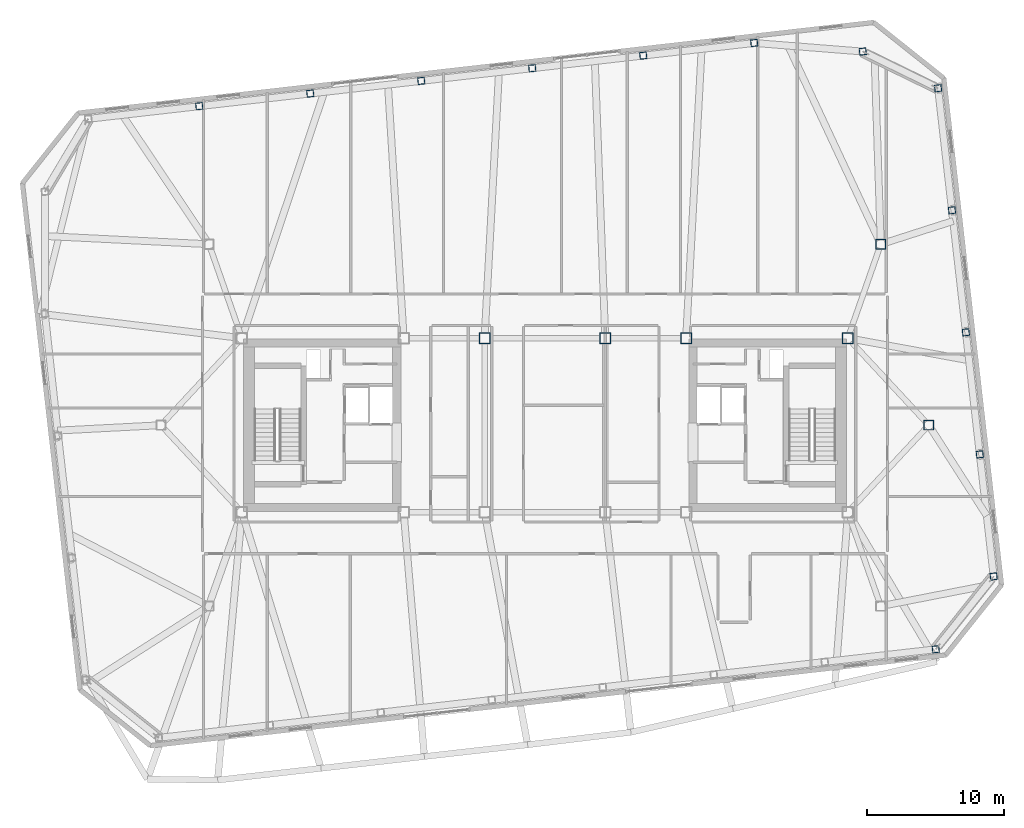
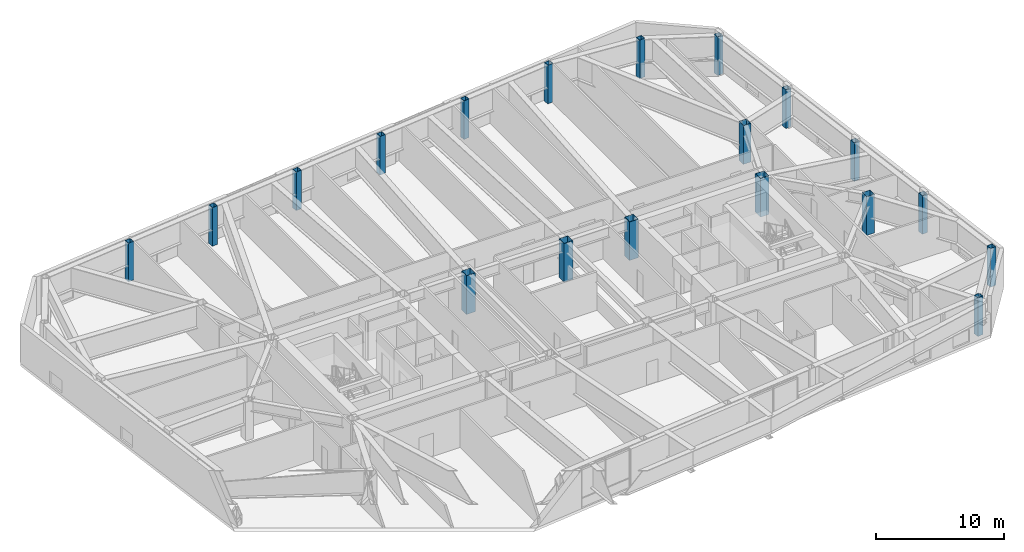
# One storey, part 2 of 18: 19 columns.
"""IFC4 building model written with IfcOpenShell, lengths in metres."""

from ifc_helpers import new_model, si_unit, direction, frame, origin, origin_2d, place, context, subcontext, project, spatial, hollow_rectangle, extrude, material, material_profile, profile_set, type_object, element, save


model = new_model("IFC4")

# Units and contexts
model_context = context("Model", 3, precision=1e-05, world=origin(), true_north=direction((0.0, 1.0)))
body_context = subcontext(model_context, "Body", "Model", "MODEL_VIEW")
ifc_project = project(units=[si_unit("LENGTHUNIT", "METRE"), si_unit("AREAUNIT", "SQUARE_METRE"), si_unit("VOLUMEUNIT", "CUBIC_METRE"), si_unit("PLANEANGLEUNIT", "RADIAN"), si_unit("MASSUNIT", "GRAM", prefix="KILO")], contexts=[model_context])

# Site, building, storey
site_placement = place(None, origin())
site = spatial("IfcSite", under=ifc_project, at=site_placement, CompositionType="ELEMENT")
building_placement = place(site_placement, origin())
building = spatial("IfcBuilding", under=site, at=building_placement, Name="Tavrogorsk Clinical Tower", CompositionType="ELEMENT")
storey_placement = place(building_placement, frame((0.0, 0.0, 267.0)))
storey = spatial("IfcBuildingStorey", under=building, at=storey_placement, Name="L62", CompositionType="ELEMENT", Elevation=267.0)

# Columns
ifc_material_1 = material(Name="Structural steel S440", Category="steel")
ifc_material_profile_1 = material_profile(ifc_material_1, hollow_rectangle(XDim=0.699951171875, YDim=0.699951171875, WallThickness=0.031982421875, at=origin_2d()), Name="BOX-700x700x32")
ifc_profile_set_1 = profile_set([ifc_material_profile_1], Name="Structural steel S440")
column_type_1 = type_object("IfcColumnType", Name="MegaCol_BOX700", PredefinedType="COLUMN", material=ifc_profile_set_1)
for number, where, z_axis, x_axis, name in (
    (1, (24.5, 13.199951171875, 0.0), (0.0, 0.0, 1.0), (1.0, 0.0, 0.0), "L62 Spine Pilotis Column MC-P4"),
    (2, (28.0, 0.0, 0.0), (0.0, 0.0, 1.0), (1.0, 0.0, 0.0), "L62 Spine Pilotis Column MC-P6"),
):
    element("IfcColumn", number, at=place(storey_placement, frame(where, z_axis=z_axis, x_axis=x_axis)), inside=storey, type_object=column_type_1, Name=name, PredefinedType="COLUMN", context=body_context, shape_type="SweptSolid", body=[
        extrude(hollow_rectangle(XDim=0.699951171875, YDim=0.699951171875, WallThickness=0.031982421875, at=origin_2d()), origin(), (0.0, 0.0, 1.0), 3.679931640625),
    ])
ifc_material_2 = material(Name="Structural steel S440", Category="steel")
ifc_material_profile_2 = material_profile(ifc_material_2, hollow_rectangle(XDim=0.800048828125, YDim=0.800048828125, WallThickness=0.035888671875, at=origin_2d()), Name="BOX-800x800x36")
ifc_profile_set_2 = profile_set([ifc_material_profile_2], Name="Structural steel S440")
column_type_2 = type_object("IfcColumnType", Name="MegaCol_BOX800", PredefinedType="COLUMN", material=ifc_profile_set_2)
for number, where, z_axis, x_axis, name in (
    (3, (10.300048828125, 6.35009765625, 0.0), (0.0, 0.0, 1.0), (1.0, 0.0, 0.0), "L62 Mega Column MC-E2"),
    (4, (22.10009765625, 6.35009765625, 0.0), (0.0, 0.0, 1.0), (1.0, 0.0, 0.0), "L62 Mega Column MC-E4"),
    (5, (-4.39990234375, 6.35009765625, 0.0), (0.0, 0.0, 1.0), (1.0, 0.0, 0.0), "L62 Mega Column MC-C3"),
    (6, (4.39990234375, 6.35009765625, 0.0), (0.0, 0.0, 1.0), (1.0, 0.0, 0.0), "L62 Mega Column MC-C4"),
):
    element("IfcColumn", number, at=place(storey_placement, frame(where, z_axis=z_axis, x_axis=x_axis)), inside=storey, type_object=column_type_2, Name=name, PredefinedType="COLUMN", context=body_context, shape_type="SweptSolid", body=[
        extrude(hollow_rectangle(XDim=0.800048828125, YDim=0.800048828125, WallThickness=0.035888671875, at=origin_2d()), origin(), (0.0, 0.0, 1.0), 3.679931640625),
    ])
ifc_material_3 = material(Name="Structural steel S440", Category="steel")
ifc_material_profile_3 = material_profile(ifc_material_3, hollow_rectangle(XDim=0.5, YDim=0.5, WallThickness=0.02490234375, at=origin_2d()), Name="BOX-500x500x25")
ifc_profile_set_3 = profile_set([ifc_material_profile_3], Name="Structural steel S440")
column_type_3 = type_object("IfcColumnType", Name="PerimCol_B4_BOX500", PredefinedType="COLUMN", material=ifc_profile_set_3)
for number, where, z_axis, x_axis, name in (
    (7, (28.508544921875, -16.345458984375, 0.0), (0.0, 0.0, 1.0), (0.993571855677, 0.113203213768, 0.0), "L62 Perimeter Column S8"),
    (8, (23.188232421875, 27.25341796875, 0.0), (0.0, 0.0, 1.0), (0.993571855677, 0.113203213768, 0.0), "L62 Perimeter Column N1"),
    (9, (15.2685546875, 27.880126953125, 0.0), (0.0, 0.0, 1.0), (0.993571855677, 0.113203213768, 0.0), "L62 Perimeter Column N2"),
    (10, (7.17236328125, 26.95751953125, 0.0), (0.0, 0.0, 1.0), (0.993571855677, 0.113203213768, 0.0), "L62 Perimeter Column N3"),
    (11, (-0.923828125, 26.03515625, 0.0), (0.0, 0.0, 1.0), (0.993571855677, 0.113203213768, 0.0), "L62 Perimeter Column N4"),
    (12, (-9.02001953125, 25.11279296875, 0.0), (0.0, 0.0, 1.0), (0.993571855677, 0.113203213768, 0.0), "L62 Perimeter Column N5"),
    (13, (-17.1162109375, 24.190185546875, 0.0), (0.0, 0.0, 1.0), (0.993571855677, 0.113203213768, 0.0), "L62 Perimeter Column N6"),
    (14, (-25.21240234375, 23.267822265625, 0.0), (0.0, 0.0, 1.0), (0.993571855677, 0.113203213768, 0.0), "L62 Perimeter Column N7"),
    (15, (32.734375, -11.032958984375, 0.0), (0.0, 0.0, 1.0), (0.993571855677, 0.113203213768, 0.0), "L62 Perimeter Column E1"),
    (16, (31.72021484375, -2.130615234375, 0.0), (0.0, 0.0, 1.0), (0.993571855677, 0.113203213768, 0.0), "L62 Perimeter Column E2"),
    (17, (30.705810546875, 6.77197265625, 0.0), (0.0, 0.0, 1.0), (0.993571855677, 0.113203213768, 0.0), "L62 Perimeter Column E3"),
    (18, (29.69140625, 15.67431640625, 0.0), (0.0, 0.0, 1.0), (0.993571855677, 0.113203213768, 0.0), "L62 Perimeter Column E4"),
    (19, (28.67724609375, 24.57666015625, 0.0), (0.0, 0.0, 1.0), (0.993571855677, 0.113203213768, 0.0), "L62 Perimeter Column E5"),
):
    element("IfcColumn", number, at=place(storey_placement, frame(where, z_axis=z_axis, x_axis=x_axis)), inside=storey, type_object=column_type_3, Name=name, PredefinedType="COLUMN", context=body_context, shape_type="SweptSolid", body=[
        extrude(hollow_rectangle(XDim=0.5, YDim=0.5, WallThickness=0.02490234375, at=origin_2d()), origin(), (0.0, 0.0, 1.0), 3.679931640625),
    ])

save(model, "model.ifc")
